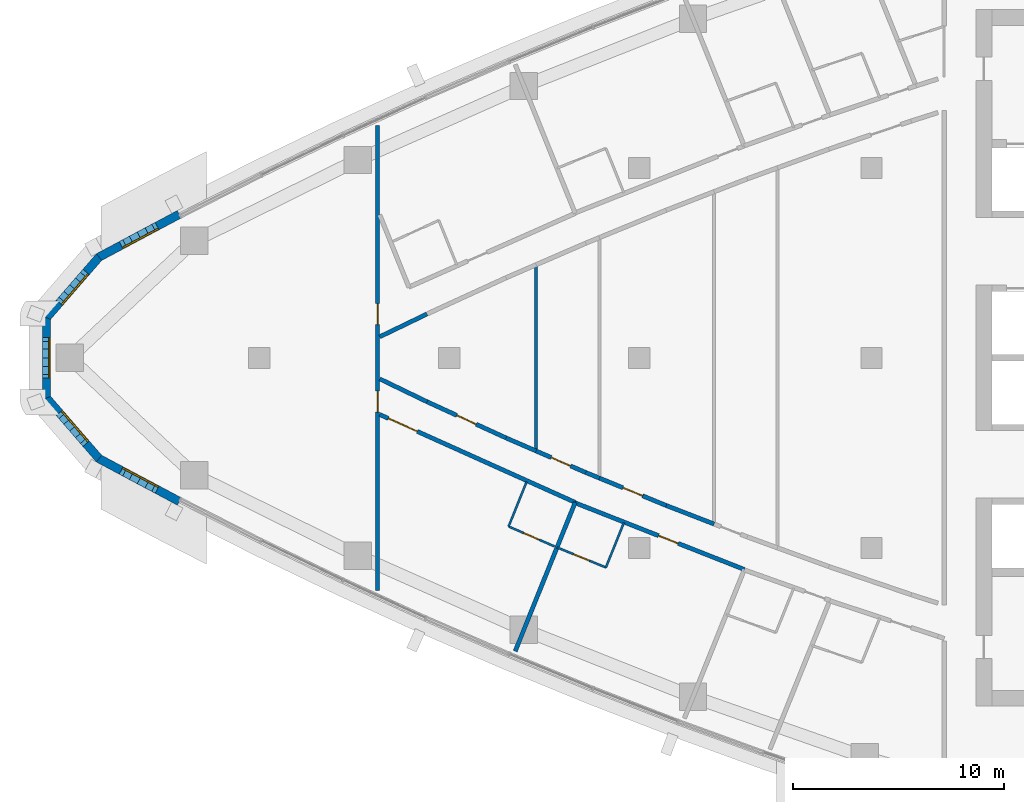
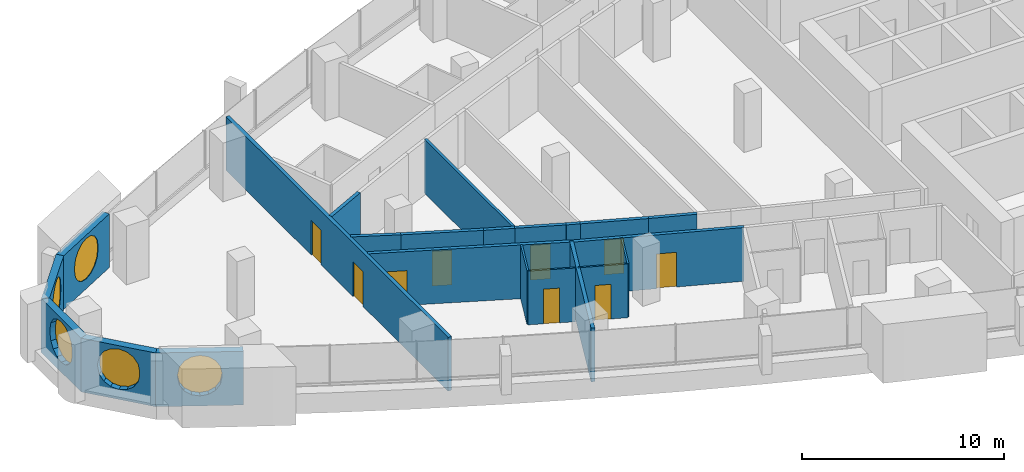
# One storey, part 9 of 17: 22 walls, 9 doors, 5 windows, 14 openings.
"""IFC4 building model written with IfcOpenShell, lengths in metres."""

from ifc_helpers import new_model, si_unit, direction, frame, frame_2d, origin, place, context, subcontext, project, spatial, polyline, rectangle, outline, extrude, material, layer, layer_set, type_object, element, fill, save


model = new_model("IFC4")

# Units and contexts
model_context = context("Model", 3, precision=1e-05, world=origin(), true_north=direction((0.0, 1.0)))
body_context = subcontext(model_context, "Body", "Model", "MODEL_VIEW")
ifc_project = project(units=[si_unit("LENGTHUNIT", "METRE"), si_unit("AREAUNIT", "SQUARE_METRE"), si_unit("VOLUMEUNIT", "CUBIC_METRE"), si_unit("PLANEANGLEUNIT", "RADIAN"), si_unit("MASSUNIT", "GRAM", prefix="KILO")], contexts=[model_context])

# Site, building, storey
site_placement = place(None, origin())
site = spatial("IfcSite", under=ifc_project, at=site_placement, CompositionType="ELEMENT")
building_placement = place(site_placement, origin())
building = spatial("IfcBuilding", under=site, at=building_placement, Name="Ostrand Prow Hotel Tower", CompositionType="ELEMENT")
storey_placement = place(building_placement, frame((0.0, 0.0, 175.5)))
storey = spatial("IfcBuildingStorey", under=building, at=storey_placement, Name="L43", CompositionType="ELEMENT", Elevation=175.5)

# Wall
ifc_material_1 = material(Name="Plasterboard partition")
ifc_layer_1 = layer(ifc_material_1, 0.10009765625)
ifc_layer_set_1 = layer_set([ifc_layer_1], Name="Plasterboard partition")
wall_type_1 = type_object("IfcWallType", Name="Partition 100 bathroom wall", PredefinedType="PARTITIONING", material=ifc_layer_set_1)
wall_1_placement = place(storey_placement, frame((27.810302734375, -7.98779296875, 0.0), z_axis=(0.0, 0.0, 1.0), x_axis=(0.373865727953, 0.927482839443, 0.0)))
element("IfcWall", 1, at=wall_1_placement, inside=storey, type_object=wall_type_1, Name="BATHROOM WALL", PredefinedType="PARTITIONING", context=body_context, shape_type="SweptSolid", body=[
    extrude(rectangle(XDim=2.27783203125, YDim=0.10009765625, at=frame_2d((1.138916015625, 0.0))), origin(), (0.0, 0.0, 1.0), 3.25),
])

# Wall, opening, door
wall_2_placement = place(storey_placement, frame((29.9892578125, -8.933349609375, 0.0), z_axis=(0.0, 0.0, 1.0), x_axis=(-0.917386792713, 0.397996824805, 0.0)))
wall_2 = element("IfcWall", 2, at=wall_2_placement, inside=storey, type_object=wall_type_1, Name="BATHROOM WALL", PredefinedType="PARTITIONING", context=body_context, shape_type="SweptSolid", body=[
    extrude(rectangle(XDim=2.375244140625, YDim=0.10009765625, at=frame_2d((1.1875, 0.0))), origin(), (0.0, 0.0, 1.0), 3.25),
])
opening_1_placement = place(wall_2_placement, frame((0.800048828125, 0.0, 0.0)))
opening_1 = element("IfcOpeningElement", 3, at=opening_1_placement, cuts=wall_2, Name="Opening D2", PredefinedType="OPENING", context=body_context, shape_type="SweptSolid", body=[
    extrude(rectangle(XDim=0.800048828125, YDim=2.10009765625, at=frame_2d((0.39990234375, 1.050048828125))), frame((0.0, 0.06005859375, 0.0), z_axis=(0.0, -1.0, 0.0), x_axis=(1.0, 0.0, 0.0)), (0.0, 0.0, 1.0), 0.1201171875),
])
ifc_material_2 = material(Name="Timber door leaf", Category="wood")
door_type_1 = type_object("IfcDoorType", Name="Bathroom door 800", OperationType="SINGLE_SWING_LEFT", PredefinedType="DOOR", material=ifc_material_2)
door_1_placement = place(opening_1_placement, origin())
door_1 = element("IfcDoor", 4, at=door_1_placement, inside=storey, type_object=door_type_1, Name="DOOR", OperationType="SINGLE_SWING_LEFT", OverallHeight=2.10009765625, OverallWidth=0.800048828125, PredefinedType="DOOR", context=body_context, shape_type="SweptSolid", body=[
    extrude(rectangle(XDim=0.800048828125, YDim=2.10009765625, at=frame_2d((0.39990234375, 1.050048828125))), frame((0.0, 0.02490234375, 0.0), z_axis=(0.0, -1.0, 0.0), x_axis=(1.0, 0.0, 0.0)), (0.0, 0.0, 1.0), 0.050048828125),
])
fill(opening_1, door_1)

# Wall
wall_3_placement = place(storey_placement, frame((33.269775390625, -7.817626953125, 0.0), z_axis=(0.0, 0.0, 1.0), x_axis=(-0.373847853912, -0.927490044219, 0.0)))
element("IfcWall", 5, at=wall_3_placement, inside=storey, type_object=wall_type_1, Name="BATHROOM WALL", PredefinedType="PARTITIONING", context=body_context, shape_type="SweptSolid", body=[
    extrude(rectangle(XDim=2.277099609375, YDim=0.10009765625, at=frame_2d((1.138671875, 0.0))), origin(), (0.0, 0.0, 1.0), 3.25),
])

# Wall, opening, door
wall_4_placement = place(storey_placement, frame((32.41845703125, -9.9296875, 0.0), z_axis=(0.0, 0.0, 1.0), x_axis=(-0.92519499486, 0.379492057212, 0.0)))
wall_4 = element("IfcWall", 6, at=wall_4_placement, inside=storey, type_object=wall_type_1, Name="BATHROOM WALL", PredefinedType="PARTITIONING", context=body_context, shape_type="SweptSolid", body=[
    extrude(rectangle(XDim=2.5, YDim=0.10009765625, at=frame_2d((1.25, 0.0))), origin(), (0.0, 0.0, 1.0), 3.25),
])
opening_2_placement = place(wall_4_placement, frame((0.85009765625, 0.0, 0.0)))
opening_2 = element("IfcOpeningElement", 7, at=opening_2_placement, cuts=wall_4, Name="Opening D2", PredefinedType="OPENING", context=body_context, shape_type="SweptSolid", body=[
    extrude(rectangle(XDim=0.800048828125, YDim=2.10009765625, at=frame_2d((0.39990234375, 1.050048828125))), frame((0.0, 0.06005859375, 0.0), z_axis=(0.0, -1.0, 0.0), x_axis=(1.0, 0.0, 0.0)), (0.0, 0.0, 1.0), 0.1201171875),
])
door_2_placement = place(opening_2_placement, origin())
door_2 = element("IfcDoor", 8, at=door_2_placement, inside=storey, type_object=door_type_1, Name="DOOR", OperationType="SINGLE_SWING_LEFT", OverallHeight=2.10009765625, OverallWidth=0.800048828125, PredefinedType="DOOR", context=body_context, shape_type="SweptSolid", body=[
    extrude(rectangle(XDim=0.800048828125, YDim=2.10009765625, at=frame_2d((0.39990234375, 1.050048828125))), frame((0.0, 0.02490234375, 0.0), z_axis=(0.0, -1.0, 0.0), x_axis=(1.0, 0.0, 0.0)), (0.0, 0.0, 1.0), 0.050048828125),
])
fill(opening_2, door_2)

# Wall
ifc_material_3 = material(Name="Plasterboard partition")
ifc_layer_2 = layer(ifc_material_3, 0.14990234375)
ifc_layer_set_2 = layer_set([ifc_layer_2], Name="Plasterboard partition")
wall_type_2 = type_object("IfcWallType", Name="Partition 150 room partition", PredefinedType="PARTITIONING", material=ifc_layer_set_2)
wall_5_placement = place(storey_placement, frame((29.11328125, -4.4111328125, 0.0), z_axis=(0.0, 0.0, 1.0), x_axis=(0.0, 1.0, 0.0)))
element("IfcWall", 9, at=wall_5_placement, inside=storey, type_object=wall_type_2, Name="ROOM PARTITION", PredefinedType="PARTITIONING", context=body_context, shape_type="SweptSolid", body=[
    extrude(rectangle(XDim=8.822265625, YDim=0.14990234375, at=frame_2d((4.4111328125, 0.0))), origin(), (0.0, 0.0, 1.0), 3.25),
])

# Wall, opening, door
ifc_material_4 = material(Name="Plasterboard partition")
ifc_layer_3 = layer(ifc_material_4, 0.199951171875)
ifc_layer_set_3 = layer_set([ifc_layer_3], Name="Plasterboard partition")
wall_type_3 = type_object("IfcWallType", Name="Partition 200 corridor wall", PredefinedType="PARTITIONING", material=ifc_layer_set_3)
wall_6_placement = place(storey_placement, frame((21.7041015625, -2.684814453125, 0.0), z_axis=(0.0, 0.0, 1.0), x_axis=(0.912095082087, -0.409978732659, 0.0)))
wall_6 = element("IfcWall", 10, at=wall_6_placement, inside=storey, type_object=wall_type_3, Name="CORRIDOR WALL", PredefinedType="PARTITIONING", context=body_context, shape_type="SweptSolid", body=[
    extrude(rectangle(XDim=10.15380859375, YDim=0.199951171875, at=frame_2d((5.076904296875, 0.0))), origin(), (0.0, 0.0, 1.0), 3.25),
])
opening_3_placement = place(wall_6_placement, frame((0.449951171875, 0.0, 0.0)))
opening_3 = element("IfcOpeningElement", 11, at=opening_3_placement, cuts=wall_6, Name="Opening D15", PredefinedType="OPENING", context=body_context, shape_type="SweptSolid", body=[
    extrude(rectangle(XDim=1.5, YDim=2.10009765625, at=frame_2d((0.75, 1.050048828125))), frame((0.0, 0.10986328125, 0.0), z_axis=(0.0, -1.0, 0.0), x_axis=(1.0, 0.0, 0.0)), (0.0, 0.0, 1.0), 0.219970703125),
])
ifc_material_5 = material(Name="Timber door leaf", Category="wood")
door_type_2 = type_object("IfcDoorType", Name="Double door 1500", OperationType="DOUBLE_DOOR_SINGLE_SWING", PredefinedType="DOOR", material=ifc_material_5)
door_3_placement = place(opening_3_placement, origin())
door_3 = element("IfcDoor", 12, at=door_3_placement, inside=storey, type_object=door_type_2, Name="DOOR", OperationType="DOUBLE_DOOR_SINGLE_SWING", OverallHeight=2.10009765625, OverallWidth=1.5, PredefinedType="DOOR", context=body_context, shape_type="SweptSolid", body=[
    extrude(rectangle(XDim=1.5, YDim=2.10009765625, at=frame_2d((0.75, 1.050048828125))), frame((0.0, 0.02490234375, 0.0), z_axis=(0.0, -1.0, 0.0), x_axis=(1.0, 0.0, 0.0)), (0.0, 0.0, 1.0), 0.050048828125),
])
fill(opening_3, door_3)

wall_7_placement = place(storey_placement, frame((30.9580078125, -6.8662109375, 0.0), z_axis=(0.0, 0.0, 1.0), x_axis=(0.93040517394, -0.366532689274, 0.0)))
wall_7 = element("IfcWall", 13, at=wall_7_placement, inside=storey, type_object=wall_type_3, Name="CORRIDOR WALL", PredefinedType="PARTITIONING", context=body_context, shape_type="SweptSolid", body=[
    extrude(rectangle(XDim=8.621826171875, YDim=0.199951171875, at=frame_2d((4.31103515625, 0.0))), origin(), (0.0, 0.0, 1.0), 3.25),
])
opening_4_placement = place(wall_7_placement, frame((4.25, 0.0, 0.0)))
opening_4 = element("IfcOpeningElement", 14, at=opening_4_placement, cuts=wall_7, Name="Opening D1", PredefinedType="OPENING", context=body_context, shape_type="SweptSolid", body=[
    extrude(rectangle(XDim=1.0, YDim=2.10009765625, at=frame_2d((0.5, 1.050048828125))), frame((0.0, 0.10986328125, 0.0), z_axis=(0.0, -1.0, 0.0), x_axis=(1.0, 0.0, 0.0)), (0.0, 0.0, 1.0), 0.219970703125),
])
ifc_material_6 = material(Name="Timber door leaf", Category="wood")
door_type_3 = type_object("IfcDoorType", Name="Guest room door 1000", OperationType="SINGLE_SWING_LEFT", PredefinedType="DOOR", material=ifc_material_6)
door_4_placement = place(opening_4_placement, origin())
door_4 = element("IfcDoor", 15, at=door_4_placement, inside=storey, type_object=door_type_3, Name="DOOR", OperationType="SINGLE_SWING_LEFT", OverallHeight=2.10009765625, OverallWidth=1.0, PredefinedType="DOOR", context=body_context, shape_type="SweptSolid", body=[
    extrude(rectangle(XDim=1.0, YDim=2.10009765625, at=frame_2d((0.5, 1.050048828125))), frame((0.0, 0.02490234375, 0.0), z_axis=(0.0, -1.0, 0.0), x_axis=(1.0, 0.0, 0.0)), (0.0, 0.0, 1.0), 0.050048828125),
])
fill(opening_4, door_4)

wall_8_placement = place(storey_placement, frame((27.689697265625, -3.79345703125, 0.0), z_axis=(0.0, 0.0, 1.0), x_axis=(-0.909180834404, 0.416401501382, 0.0)))
wall_8 = element("IfcWall", 16, at=wall_8_placement, inside=storey, type_object=wall_type_3, Name="CORRIDOR WALL", PredefinedType="PARTITIONING", context=body_context, shape_type="SweptSolid", body=[
    extrude(rectangle(XDim=4.1171875, YDim=0.199951171875, at=frame_2d((2.05859375, 0.0))), origin(), (0.0, 0.0, 1.0), 3.25),
])
opening_5_placement = place(wall_8_placement, frame((1.55859375, 0.0, 0.0)))
opening_5 = element("IfcOpeningElement", 17, at=opening_5_placement, cuts=wall_8, Name="Opening D1R", PredefinedType="OPENING", context=body_context, shape_type="SweptSolid", body=[
    extrude(rectangle(XDim=1.0, YDim=2.10009765625, at=frame_2d((0.5, 1.050048828125))), frame((0.0, 0.10986328125, 0.0), z_axis=(0.0, -1.0, 0.0), x_axis=(1.0, 0.0, 0.0)), (0.0, 0.0, 1.0), 0.219970703125),
])
ifc_material_7 = material(Name="Timber door leaf", Category="wood")
door_type_4 = type_object("IfcDoorType", Name="Guest room door 1000 right", OperationType="SINGLE_SWING_RIGHT", PredefinedType="DOOR", material=ifc_material_7)
door_5_placement = place(opening_5_placement, origin())
door_5 = element("IfcDoor", 18, at=door_5_placement, inside=storey, type_object=door_type_4, Name="DOOR", OperationType="SINGLE_SWING_RIGHT", OverallHeight=2.10009765625, OverallWidth=1.0, PredefinedType="DOOR", context=body_context, shape_type="SweptSolid", body=[
    extrude(rectangle(XDim=1.0, YDim=2.10009765625, at=frame_2d((0.5, 1.050048828125))), frame((0.0, 0.02490234375, 0.0), z_axis=(0.0, -1.0, 0.0), x_axis=(1.0, 0.0, 0.0)), (0.0, 0.0, 1.0), 0.050048828125),
])
fill(opening_5, door_5)

# Walls
for number, where, z_axis, x_axis, name in (
    (19, (23.946533203125, -2.0791015625, 0.0), (0.0, 0.0, 1.0), (-0.900633695148, 0.434579045933, 0.0), "CORRIDOR WALL"),
    (20, (21.7041015625, 0.9970703125, 0.0), (0.0, 0.0, 1.0), (0.900633695148, 0.434579045933, 0.0), "CORRIDOR WALL"),
):
    element("IfcWall", number, at=place(storey_placement, frame(where, z_axis=z_axis, x_axis=x_axis)), inside=storey, type_object=wall_type_3, Name=name, PredefinedType="PARTITIONING", context=body_context, shape_type="SweptSolid", body=[
        extrude(rectangle(XDim=2.48974609375, YDim=0.199951171875, at=frame_2d((1.244873046875, 0.0))), origin(), (0.0, 0.0, 1.0), 3.25),
    ])
wall_9_placement = place(storey_placement, frame((29.11328125, -4.4111328125, 0.0), z_axis=(0.0, 0.0, 1.0), x_axis=(-0.917369942083, 0.398035663431, 0.0)))
element("IfcWall", 21, at=wall_9_placement, inside=storey, type_object=wall_type_3, Name="CORRIDOR WALL", PredefinedType="PARTITIONING", context=body_context, shape_type="SweptSolid", body=[
    extrude(rectangle(XDim=1.5517578125, YDim=0.199951171875, at=frame_2d((0.77587890625, 0.0))), origin(), (0.0, 0.0, 1.0), 3.25),
])

# Wall, opening, door
wall_10_placement = place(storey_placement, frame((31.466552734375, -5.43212890625, 0.0), z_axis=(0.0, 0.0, 1.0), x_axis=(-0.91737845263, 0.398016048231, 0.0)))
wall_10 = element("IfcWall", 22, at=wall_10_placement, inside=storey, type_object=wall_type_3, Name="CORRIDOR WALL", PredefinedType="PARTITIONING", context=body_context, shape_type="SweptSolid", body=[
    extrude(rectangle(XDim=2.565185546875, YDim=0.199951171875, at=frame_2d((1.28271484375, 0.0))), origin(), (0.0, 0.0, 1.0), 3.25),
])
opening_6_placement = place(wall_10_placement, frame((0.78271484375, 0.0, 0.0)))
opening_6 = element("IfcOpeningElement", 23, at=opening_6_placement, cuts=wall_10, Name="Opening D1", PredefinedType="OPENING", context=body_context, shape_type="SweptSolid", body=[
    extrude(rectangle(XDim=1.0, YDim=2.10009765625, at=frame_2d((0.5, 1.050048828125))), frame((0.0, 0.10986328125, 0.0), z_axis=(0.0, -1.0, 0.0), x_axis=(1.0, 0.0, 0.0)), (0.0, 0.0, 1.0), 0.219970703125),
])
door_6_placement = place(opening_6_placement, origin())
door_6 = element("IfcDoor", 24, at=door_6_placement, inside=storey, type_object=door_type_3, Name="DOOR", OperationType="SINGLE_SWING_LEFT", OverallHeight=2.10009765625, OverallWidth=1.0, PredefinedType="DOOR", context=body_context, shape_type="SweptSolid", body=[
    extrude(rectangle(XDim=1.0, YDim=2.10009765625, at=frame_2d((0.5, 1.050048828125))), frame((0.0, 0.02490234375, 0.0), z_axis=(0.0, -1.0, 0.0), x_axis=(1.0, 0.0, 0.0)), (0.0, 0.0, 1.0), 0.050048828125),
])
fill(opening_6, door_6)

# Wall
wall_11_placement = place(storey_placement, frame((32.11328125, -5.697265625, 0.0), z_axis=(0.0, 0.0, 1.0), x_axis=(-0.92526293873, 0.379326368992, 0.0)))
element("IfcWall", 25, at=wall_11_placement, inside=storey, type_object=wall_type_3, Name="CORRIDOR WALL", PredefinedType="PARTITIONING", context=body_context, shape_type="SweptSolid", body=[
    extrude(rectangle(XDim=0.698974609375, YDim=0.199951171875, at=frame_2d((0.349609375, 0.0))), origin(), (0.0, 0.0, 1.0), 3.25),
])

# Wall, opening, door
wall_12_placement = place(storey_placement, frame((35.275634765625, -6.994384765625, 0.0), z_axis=(0.0, 0.0, 1.0), x_axis=(-0.925194984271, 0.379492083026, 0.0)))
wall_12 = element("IfcWall", 26, at=wall_12_placement, inside=storey, type_object=wall_type_3, Name="CORRIDOR WALL", PredefinedType="PARTITIONING", context=body_context, shape_type="SweptSolid", body=[
    extrude(rectangle(XDim=3.41796875, YDim=0.199951171875, at=frame_2d((1.708984375, 0.0))), origin(), (0.0, 0.0, 1.0), 3.25),
])
opening_7_placement = place(wall_12_placement, frame((1.208984375, 0.0, 0.0)))
opening_7 = element("IfcOpeningElement", 27, at=opening_7_placement, cuts=wall_12, Name="Opening D1R", PredefinedType="OPENING", context=body_context, shape_type="SweptSolid", body=[
    extrude(rectangle(XDim=1.0, YDim=2.10009765625, at=frame_2d((0.5, 1.050048828125))), frame((0.0, 0.10986328125, 0.0), z_axis=(0.0, -1.0, 0.0), x_axis=(1.0, 0.0, 0.0)), (0.0, 0.0, 1.0), 0.219970703125),
])
door_7_placement = place(opening_7_placement, origin())
door_7 = element("IfcDoor", 28, at=door_7_placement, inside=storey, type_object=door_type_4, Name="DOOR", OperationType="SINGLE_SWING_RIGHT", OverallHeight=2.10009765625, OverallWidth=1.0, PredefinedType="DOOR", context=body_context, shape_type="SweptSolid", body=[
    extrude(rectangle(XDim=1.0, YDim=2.10009765625, at=frame_2d((0.5, 1.050048828125))), frame((0.0, 0.02490234375, 0.0), z_axis=(0.0, -1.0, 0.0), x_axis=(1.0, 0.0, 0.0)), (0.0, 0.0, 1.0), 0.050048828125),
])
fill(opening_7, door_7)

# Walls
wall_13_placement = place(storey_placement, frame((37.546875, -7.872802734375, 0.0), z_axis=(0.0, 0.0, 1.0), x_axis=(-0.932674754549, 0.36071845285, 0.0)))
element("IfcWall", 29, at=wall_13_placement, inside=storey, type_object=wall_type_3, Name="CORRIDOR WALL", PredefinedType="PARTITIONING", context=body_context, shape_type="SweptSolid", body=[
    extrude(rectangle(XDim=2.435302734375, YDim=0.199951171875, at=frame_2d((1.2177734375, 0.0))), origin(), (0.0, 0.0, 1.0), 3.25),
])
ifc_material_8 = material(Name="Plasterboard partition")
ifc_layer_4 = layer(ifc_material_8, 0.199951171875)
ifc_layer_set_4 = layer_set([ifc_layer_4], Name="Plasterboard partition")
wall_type_4 = type_object("IfcWallType", Name="Partition 200 key partition", PredefinedType="PARTITIONING", material=ifc_layer_set_4)
wall_14_placement = place(storey_placement, frame((28.123779296875, -13.896728515625, 0.0), z_axis=(0.0, 0.0, 1.0), x_axis=(0.373876084216, 0.927478664796, 0.0)))
element("IfcWall", 30, at=wall_14_placement, inside=storey, type_object=wall_type_4, Name="KEY PARTITION", PredefinedType="PARTITIONING", context=body_context, shape_type="SweptSolid", body=[
    extrude(rectangle(XDim=7.600341796875, YDim=0.199951171875, at=frame_2d((3.80029296875, 0.0))), origin(), (0.0, 0.0, 1.0), 3.25),
])

# Wall, openings, doors
ifc_material_9 = material(Name="Plasterboard partition")
ifc_layer_5 = layer(ifc_material_9, 0.199951171875)
ifc_layer_set_5 = layer_set([ifc_layer_5], Name="Plasterboard partition")
wall_type_5 = type_object("IfcWallType", Name="Partition 200 lounge wall", PredefinedType="PARTITIONING", material=ifc_layer_set_5)
wall_15_placement = place(storey_placement, frame((21.60400390625, -11.015380859375, 0.0), z_axis=(0.0, 0.0, 1.0), x_axis=(0.0, 1.0, 0.0)))
wall_15 = element("IfcWall", 31, at=wall_15_placement, inside=storey, type_object=wall_type_5, Name="LOUNGE WALL", PredefinedType="PARTITIONING", context=body_context, shape_type="SweptSolid", body=[
    extrude(rectangle(XDim=22.03076171875, YDim=0.199951171875, at=frame_2d((11.015380859375, 0.0))), origin(), (0.0, 0.0, 1.0), 3.25),
])
opening_8_placement = place(wall_15_placement, frame((12.5859375, 0.0, 0.0)))
opening_8 = element("IfcOpeningElement", 32, at=opening_8_placement, cuts=wall_15, Name="Opening D1", PredefinedType="OPENING", context=body_context, shape_type="SweptSolid", body=[
    extrude(rectangle(XDim=1.0, YDim=2.10009765625, at=frame_2d((0.5, 1.050048828125))), frame((0.0, 0.10986328125, 0.0), z_axis=(0.0, -1.0, 0.0), x_axis=(1.0, 0.0, 0.0)), (0.0, 0.0, 1.0), 0.219970703125),
])
opening_9_placement = place(wall_15_placement, frame((8.444091796875, 0.0, 0.0)))
opening_9 = element("IfcOpeningElement", 33, at=opening_9_placement, cuts=wall_15, Name="Opening D1R", PredefinedType="OPENING", context=body_context, shape_type="SweptSolid", body=[
    extrude(rectangle(XDim=1.0, YDim=2.10009765625, at=frame_2d((0.5, 1.050048828125))), frame((0.0, 0.10986328125, 0.0), z_axis=(0.0, -1.0, 0.0), x_axis=(1.0, 0.0, 0.0)), (0.0, 0.0, 1.0), 0.219970703125),
])
door_8_placement = place(opening_8_placement, origin())
door_8 = element("IfcDoor", 34, at=door_8_placement, inside=storey, type_object=door_type_3, Name="DOOR", OperationType="SINGLE_SWING_LEFT", OverallHeight=2.10009765625, OverallWidth=1.0, PredefinedType="DOOR", context=body_context, shape_type="SweptSolid", body=[
    extrude(rectangle(XDim=1.0, YDim=2.10009765625, at=frame_2d((0.5, 1.050048828125))), frame((0.0, 0.02490234375, 0.0), z_axis=(0.0, -1.0, 0.0), x_axis=(1.0, 0.0, 0.0)), (0.0, 0.0, 1.0), 0.050048828125),
])
fill(opening_8, door_8)
door_9_placement = place(opening_9_placement, origin())
door_9 = element("IfcDoor", 35, at=door_9_placement, inside=storey, type_object=door_type_4, Name="DOOR", OperationType="SINGLE_SWING_RIGHT", OverallHeight=2.10009765625, OverallWidth=1.0, PredefinedType="DOOR", context=body_context, shape_type="SweptSolid", body=[
    extrude(rectangle(XDim=1.0, YDim=2.10009765625, at=frame_2d((0.5, 1.050048828125))), frame((0.0, 0.02490234375, 0.0), z_axis=(0.0, -1.0, 0.0), x_axis=(1.0, 0.0, 0.0)), (0.0, 0.0, 1.0), 0.050048828125),
])
fill(opening_9, door_9)

# Wall, opening, window
ifc_material_10 = material(Name="Precast concrete C40/50", Category="concrete")
ifc_layer_6 = layer(ifc_material_10, 0.39990234375)
ifc_layer_set_6 = layer_set([ifc_layer_6], Name="Precast concrete C40/50")
wall_type_6 = type_object("IfcWallType", Name="Stone-faced precast wall 400 mm", PredefinedType="NOTDEFINED", material=ifc_layer_set_6)
wall_16_placement = place(storey_placement, frame((12.209716796875, 6.801025390625, 0.0), z_axis=(0.0, 0.0, 1.0), x_axis=(-0.882385889746, -0.470526451518, 0.0)))
wall_16 = element("IfcWall", 36, at=wall_16_placement, inside=storey, type_object=wall_type_6, Name="Stone-faced wall prow 1", PredefinedType="NOTDEFINED", context=body_context, shape_type="SweptSolid", body=[
    extrude(outline(polyline([(0.0, -0.199951171875), (4.34423828125, -0.199951171875), (4.27001953125, 0.199951171875), (0.0, 0.199951171875), (0.0, -0.199951171875)])), origin(), (0.0, 0.0, 1.0), 3.25),
])
opening_10_placement = place(wall_16_placement, frame((1.053466796875, 0.0, 0.60009765625)))
opening_10 = element("IfcOpeningElement", 37, at=opening_10_placement, cuts=wall_16, Name="Opening WP1", PredefinedType="OPENING", context=body_context, shape_type="SweptSolid", body=[
    extrude(outline(polyline([(0.0, 1.35009765625), (0.083740234375, 1.77099609375), (0.322265625, 2.127685546875), (0.678955078125, 2.3662109375), (1.10009765625, 2.449951171875), (1.52099609375, 2.3662109375), (1.877685546875, 2.127685546875), (2.1162109375, 1.77099609375), (2.199951171875, 1.35009765625), (2.199951171875, 1.10009765625), (2.1162109375, 0.678955078125), (1.877685546875, 0.322265625), (1.52099609375, 0.083740234375), (1.10009765625, 0.0), (0.678955078125, 0.083740234375), (0.322265625, 0.322265625), (0.083740234375, 0.678955078125), (0.0, 1.099853515625), (0.0, 1.35009765625)])), frame((0.0, 0.2099609375, 0.0), z_axis=(0.0, -1.0, 0.0), x_axis=(1.0, 0.0, 0.0)), (0.0, 0.0, 1.0), 0.419921875),
])
ifc_material_11 = material(Name="Insulated glass in bronze frame", Category="glass")
window_type = type_object("IfcWindowType", Name="Round-ended prow window 2200x2450", PartitioningType="SINGLE_PANEL", PredefinedType="WINDOW", material=ifc_material_11)
window_1_placement = place(opening_10_placement, origin())
window_1 = element("IfcWindow", 38, at=window_1_placement, inside=storey, type_object=window_type, Name="Window prow 1.1", OverallHeight=2.449951171875, OverallWidth=2.199951171875, PartitioningType="SINGLE_PANEL", PredefinedType="WINDOW", context=body_context, shape_type="SweptSolid", body=[
    extrude(outline(polyline([(0.0, 1.35009765625), (0.083740234375, 1.77099609375), (0.322265625, 2.127685546875), (0.678955078125, 2.3662109375), (1.10009765625, 2.449951171875), (1.52099609375, 2.3662109375), (1.877685546875, 2.127685546875), (2.1162109375, 1.77099609375), (2.199951171875, 1.35009765625), (2.199951171875, 1.10009765625), (2.1162109375, 0.678955078125), (1.877685546875, 0.322265625), (1.52099609375, 0.083740234375), (1.10009765625, 0.0), (0.678955078125, 0.083740234375), (0.322265625, 0.322265625), (0.083740234375, 0.678955078125), (0.0, 1.099853515625), (0.0, 1.35009765625)])), frame((0.0, 0.169921875, 0.0), z_axis=(0.0, -1.0, 0.0), x_axis=(1.0, 0.0, 0.0)), (0.0, 0.0, 1.0), 0.06005859375),
])
fill(opening_10, window_1)

wall_17_placement = place(storey_placement, frame((8.4091796875, 4.7744140625, 0.0), z_axis=(0.0, 0.0, 1.0), x_axis=(-0.654759384203, -0.755837382509, 0.0)))
wall_17 = element("IfcWall", 39, at=wall_17_placement, inside=storey, type_object=wall_type_6, Name="Stone-faced wall prow 2", PredefinedType="NOTDEFINED", context=body_context, shape_type="SweptSolid", body=[
    extrude(outline(polyline([(-0.037109375, -0.199951171875), (3.87646484375, -0.199951171875), (3.72705078125, 0.199951171875), (0.037109375, 0.199951171875), (-0.037109375, -0.199951171875)])), origin(), (0.0, 0.0, 1.0), 3.25),
])
opening_11_placement = place(wall_17_placement, frame((0.80078125, 0.0, 0.60009765625)))
opening_11 = element("IfcOpeningElement", 40, at=opening_11_placement, cuts=wall_17, Name="Opening WP1", PredefinedType="OPENING", context=body_context, shape_type="SweptSolid", body=[
    extrude(outline(polyline([(0.0, 1.35009765625), (0.083740234375, 1.77099609375), (0.322265625, 2.127685546875), (0.678955078125, 2.3662109375), (1.10009765625, 2.449951171875), (1.52099609375, 2.3662109375), (1.877685546875, 2.127685546875), (2.1162109375, 1.77099609375), (2.199951171875, 1.35009765625), (2.199951171875, 1.10009765625), (2.1162109375, 0.678955078125), (1.877685546875, 0.322265625), (1.52099609375, 0.083740234375), (1.10009765625, 0.0), (0.678955078125, 0.083740234375), (0.322265625, 0.322265625), (0.083740234375, 0.678955078125), (0.0, 1.099853515625), (0.0, 1.35009765625)])), frame((0.0, 0.2099609375, 0.0), z_axis=(0.0, -1.0, 0.0), x_axis=(1.0, 0.0, 0.0)), (0.0, 0.0, 1.0), 0.419921875),
])
window_2_placement = place(opening_11_placement, origin())
window_2 = element("IfcWindow", 41, at=window_2_placement, inside=storey, type_object=window_type, Name="Window prow 2.1", OverallHeight=2.449951171875, OverallWidth=2.199951171875, PartitioningType="SINGLE_PANEL", PredefinedType="WINDOW", context=body_context, shape_type="SweptSolid", body=[
    extrude(outline(polyline([(0.0, 1.35009765625), (0.083740234375, 1.77099609375), (0.322265625, 2.127685546875), (0.678955078125, 2.3662109375), (1.10009765625, 2.449951171875), (1.52099609375, 2.3662109375), (1.877685546875, 2.127685546875), (2.1162109375, 1.77099609375), (2.199951171875, 1.35009765625), (2.199951171875, 1.10009765625), (2.1162109375, 0.678955078125), (1.877685546875, 0.322265625), (1.52099609375, 0.083740234375), (1.10009765625, 0.0), (0.678955078125, 0.083740234375), (0.322265625, 0.322265625), (0.083740234375, 0.678955078125), (0.0, 1.099853515625), (0.0, 1.35009765625)])), frame((0.0, 0.169921875, 0.0), z_axis=(0.0, -1.0, 0.0), x_axis=(1.0, 0.0, 0.0)), (0.0, 0.0, 1.0), 0.06005859375),
])
fill(opening_11, window_2)

wall_18_placement = place(storey_placement, frame((5.919921875, 1.90087890625, 0.0), z_axis=(0.0, 0.0, 1.0), x_axis=(0.0, -1.0, 0.0)))
wall_18 = element("IfcWall", 42, at=wall_18_placement, inside=storey, type_object=wall_type_6, Name="Stone-faced wall prow 3", PredefinedType="NOTDEFINED", context=body_context, shape_type="SweptSolid", body=[
    extrude(outline(polyline([(-0.07470703125, -0.199951171875), (3.87646484375, -0.199951171875), (3.72705078125, 0.199951171875), (0.07470703125, 0.199951171875), (-0.07470703125, -0.199951171875)])), origin(), (0.0, 0.0, 1.0), 3.25),
])
opening_12_placement = place(wall_18_placement, frame((0.80078125, 0.0, 0.60009765625)))
opening_12 = element("IfcOpeningElement", 43, at=opening_12_placement, cuts=wall_18, Name="Opening WP1", PredefinedType="OPENING", context=body_context, shape_type="SweptSolid", body=[
    extrude(outline(polyline([(0.0, 1.35009765625), (0.083740234375, 1.77099609375), (0.322265625, 2.127685546875), (0.678955078125, 2.3662109375), (1.10009765625, 2.449951171875), (1.52099609375, 2.3662109375), (1.877685546875, 2.127685546875), (2.1162109375, 1.77099609375), (2.199951171875, 1.35009765625), (2.199951171875, 1.10009765625), (2.1162109375, 0.678955078125), (1.877685546875, 0.322265625), (1.52099609375, 0.083740234375), (1.10009765625, 0.0), (0.678955078125, 0.083740234375), (0.322265625, 0.322265625), (0.083740234375, 0.678955078125), (0.0, 1.099853515625), (0.0, 1.35009765625)])), frame((0.0, 0.2099609375, 0.0), z_axis=(0.0, -1.0, 0.0), x_axis=(1.0, 0.0, 0.0)), (0.0, 0.0, 1.0), 0.419921875),
])
window_3_placement = place(opening_12_placement, origin())
window_3 = element("IfcWindow", 44, at=window_3_placement, inside=storey, type_object=window_type, Name="Window prow 3.1", OverallHeight=2.449951171875, OverallWidth=2.199951171875, PartitioningType="SINGLE_PANEL", PredefinedType="WINDOW", context=body_context, shape_type="SweptSolid", body=[
    extrude(outline(polyline([(0.0, 1.35009765625), (0.083740234375, 1.77099609375), (0.322265625, 2.127685546875), (0.678955078125, 2.3662109375), (1.10009765625, 2.449951171875), (1.52099609375, 2.3662109375), (1.877685546875, 2.127685546875), (2.1162109375, 1.77099609375), (2.199951171875, 1.35009765625), (2.199951171875, 1.10009765625), (2.1162109375, 0.678955078125), (1.877685546875, 0.322265625), (1.52099609375, 0.083740234375), (1.10009765625, 0.0), (0.678955078125, 0.083740234375), (0.322265625, 0.322265625), (0.083740234375, 0.678955078125), (0.0, 1.099853515625), (0.0, 1.35009765625)])), frame((0.0, 0.169921875, 0.0), z_axis=(0.0, -1.0, 0.0), x_axis=(1.0, 0.0, 0.0)), (0.0, 0.0, 1.0), 0.06005859375),
])
fill(opening_12, window_3)

wall_19_placement = place(storey_placement, frame((5.919921875, -1.90087890625, 0.0), z_axis=(0.0, 0.0, 1.0), x_axis=(0.654759384203, -0.755837382509, 0.0)))
wall_19 = element("IfcWall", 45, at=wall_19_placement, inside=storey, type_object=wall_type_6, Name="Stone-faced wall prow 4", PredefinedType="NOTDEFINED", context=body_context, shape_type="SweptSolid", body=[
    extrude(outline(polyline([(-0.07470703125, -0.199951171875), (3.8388671875, -0.199951171875), (3.7646484375, 0.199951171875), (0.07470703125, 0.199951171875), (-0.07470703125, -0.199951171875)])), origin(), (0.0, 0.0, 1.0), 3.25),
])
opening_13_placement = place(wall_19_placement, frame((0.80078125, 0.0, 0.60009765625)))
opening_13 = element("IfcOpeningElement", 46, at=opening_13_placement, cuts=wall_19, Name="Opening WP1", PredefinedType="OPENING", context=body_context, shape_type="SweptSolid", body=[
    extrude(outline(polyline([(0.0, 1.35009765625), (0.083740234375, 1.77099609375), (0.322265625, 2.127685546875), (0.678955078125, 2.3662109375), (1.10009765625, 2.449951171875), (1.52099609375, 2.3662109375), (1.877685546875, 2.127685546875), (2.1162109375, 1.77099609375), (2.199951171875, 1.35009765625), (2.199951171875, 1.10009765625), (2.1162109375, 0.678955078125), (1.877685546875, 0.322265625), (1.52099609375, 0.083740234375), (1.10009765625, 0.0), (0.678955078125, 0.083740234375), (0.322265625, 0.322265625), (0.083740234375, 0.678955078125), (0.0, 1.099853515625), (0.0, 1.35009765625)])), frame((0.0, 0.2099609375, 0.0), z_axis=(0.0, -1.0, 0.0), x_axis=(1.0, 0.0, 0.0)), (0.0, 0.0, 1.0), 0.419921875),
])
window_4_placement = place(opening_13_placement, origin())
window_4 = element("IfcWindow", 47, at=window_4_placement, inside=storey, type_object=window_type, Name="Window prow 4.1", OverallHeight=2.449951171875, OverallWidth=2.199951171875, PartitioningType="SINGLE_PANEL", PredefinedType="WINDOW", context=body_context, shape_type="SweptSolid", body=[
    extrude(outline(polyline([(0.0, 1.35009765625), (0.083740234375, 1.77099609375), (0.322265625, 2.127685546875), (0.678955078125, 2.3662109375), (1.10009765625, 2.449951171875), (1.52099609375, 2.3662109375), (1.877685546875, 2.127685546875), (2.1162109375, 1.77099609375), (2.199951171875, 1.35009765625), (2.199951171875, 1.10009765625), (2.1162109375, 0.678955078125), (1.877685546875, 0.322265625), (1.52099609375, 0.083740234375), (1.10009765625, 0.0), (0.678955078125, 0.083740234375), (0.322265625, 0.322265625), (0.083740234375, 0.678955078125), (0.0, 1.099853515625), (0.0, 1.35009765625)])), frame((0.0, 0.169921875, 0.0), z_axis=(0.0, -1.0, 0.0), x_axis=(1.0, 0.0, 0.0)), (0.0, 0.0, 1.0), 0.06005859375),
])
fill(opening_13, window_4)

wall_20_placement = place(storey_placement, frame((8.4091796875, -4.7744140625, 0.0), z_axis=(0.0, 0.0, 1.0), x_axis=(0.882385889746, -0.470526451518, 0.0)))
wall_20 = element("IfcWall", 48, at=wall_20_placement, inside=storey, type_object=wall_type_6, Name="Stone-faced wall prow 5", PredefinedType="NOTDEFINED", context=body_context, shape_type="SweptSolid", body=[
    extrude(outline(polyline([(-0.037109375, -0.199951171875), (4.30712890625, -0.199951171875), (4.30712890625, 0.199951171875), (0.037109375, 0.199951171875), (-0.037109375, -0.199951171875)])), origin(), (0.0, 0.0, 1.0), 3.25),
])
opening_14_placement = place(wall_20_placement, frame((1.053466796875, 0.0, 0.60009765625)))
opening_14 = element("IfcOpeningElement", 49, at=opening_14_placement, cuts=wall_20, Name="Opening WP1", PredefinedType="OPENING", context=body_context, shape_type="SweptSolid", body=[
    extrude(outline(polyline([(0.0, 1.35009765625), (0.083740234375, 1.77099609375), (0.322265625, 2.127685546875), (0.678955078125, 2.3662109375), (1.10009765625, 2.449951171875), (1.52099609375, 2.3662109375), (1.877685546875, 2.127685546875), (2.1162109375, 1.77099609375), (2.199951171875, 1.35009765625), (2.199951171875, 1.10009765625), (2.1162109375, 0.678955078125), (1.877685546875, 0.322265625), (1.52099609375, 0.083740234375), (1.10009765625, 0.0), (0.678955078125, 0.083740234375), (0.322265625, 0.322265625), (0.083740234375, 0.678955078125), (0.0, 1.099853515625), (0.0, 1.35009765625)])), frame((0.0, 0.2099609375, 0.0), z_axis=(0.0, -1.0, 0.0), x_axis=(1.0, 0.0, 0.0)), (0.0, 0.0, 1.0), 0.419921875),
])
window_5_placement = place(opening_14_placement, origin())
window_5 = element("IfcWindow", 50, at=window_5_placement, inside=storey, type_object=window_type, Name="Window prow 5.1", OverallHeight=2.449951171875, OverallWidth=2.199951171875, PartitioningType="SINGLE_PANEL", PredefinedType="WINDOW", context=body_context, shape_type="SweptSolid", body=[
    extrude(outline(polyline([(0.0, 1.35009765625), (0.083740234375, 1.77099609375), (0.322265625, 2.127685546875), (0.678955078125, 2.3662109375), (1.10009765625, 2.449951171875), (1.52099609375, 2.3662109375), (1.877685546875, 2.127685546875), (2.1162109375, 1.77099609375), (2.199951171875, 1.35009765625), (2.199951171875, 1.10009765625), (2.1162109375, 0.678955078125), (1.877685546875, 0.322265625), (1.52099609375, 0.083740234375), (1.10009765625, 0.0), (0.678955078125, 0.083740234375), (0.322265625, 0.322265625), (0.083740234375, 0.678955078125), (0.0, 1.099853515625), (0.0, 1.35009765625)])), frame((0.0, 0.169921875, 0.0), z_axis=(0.0, -1.0, 0.0), x_axis=(1.0, 0.0, 0.0)), (0.0, 0.0, 1.0), 0.06005859375),
])
fill(opening_14, window_5)

save(model, "model.ifc")
